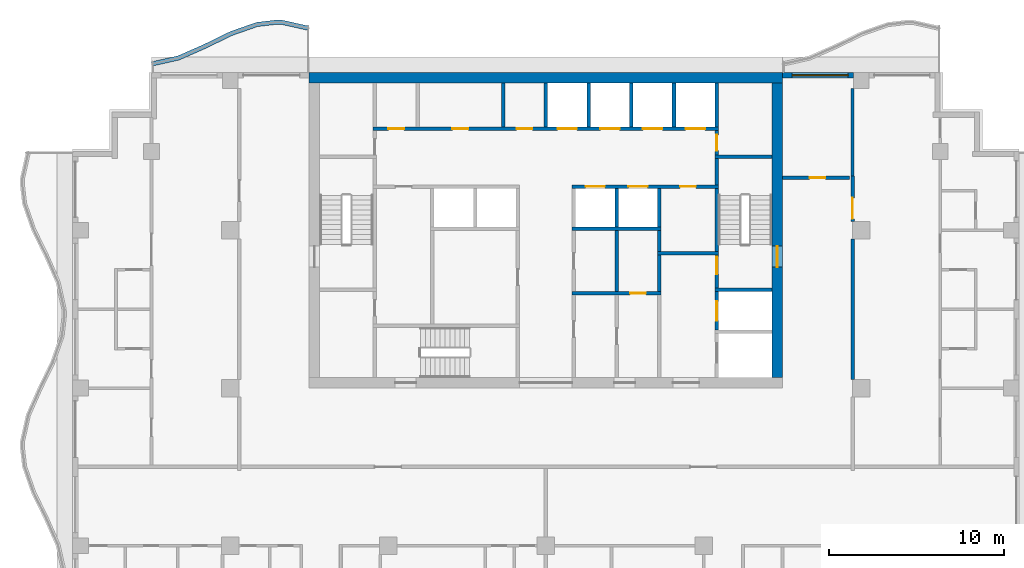
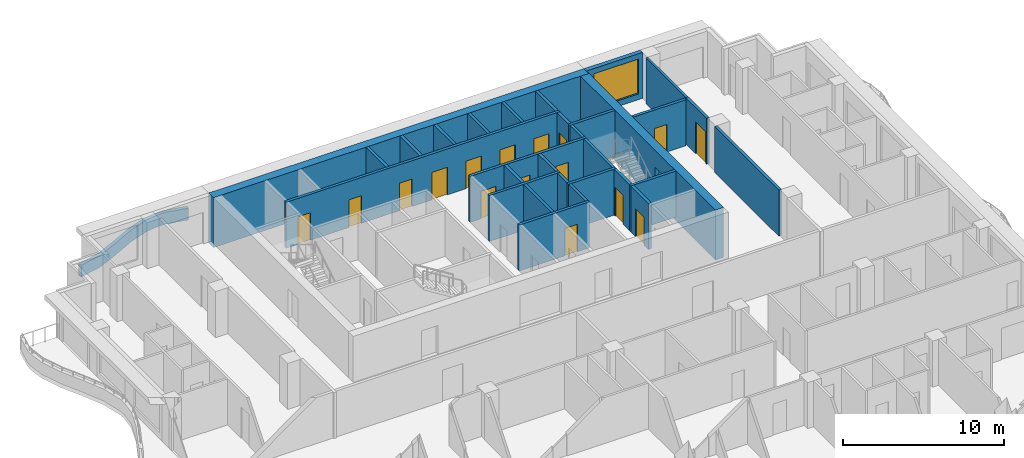
# One storey, part 6 of 11: 31 walls, 17 doors, 1 window, 18 openings.
"""IFC4 building model written with IfcOpenShell, lengths in metres."""

from ifc_helpers import new_model, si_unit, direction, frame, frame_2d, origin, place, context, subcontext, project, spatial, polyline, rectangle, outline, extrude, material, layer, layer_set, type_object, element, fill, save


model = new_model("IFC4")

# Units and contexts
model_context = context("Model", 3, precision=1e-05, world=origin(), true_north=direction((0.0, 1.0)))
body_context = subcontext(model_context, "Body", "Model", "MODEL_VIEW")
ifc_project = project(units=[si_unit("LENGTHUNIT", "METRE"), si_unit("AREAUNIT", "SQUARE_METRE"), si_unit("VOLUMEUNIT", "CUBIC_METRE"), si_unit("PLANEANGLEUNIT", "RADIAN"), si_unit("MASSUNIT", "GRAM", prefix="KILO")], contexts=[model_context])

# Site, building, storey
site_placement = place(None, origin())
site = spatial("IfcSite", under=ifc_project, at=site_placement, CompositionType="ELEMENT")
building_placement = place(site_placement, origin())
building = spatial("IfcBuilding", under=site, at=building_placement, Name="Orbiselva Terraces", CompositionType="ELEMENT")
storey_placement = place(building_placement, frame((0.0, 0.0, 246.4)))
storey = spatial("IfcBuildingStorey", under=building, at=storey_placement, Name="L62", CompositionType="ELEMENT", Elevation=246.4)

# Wall, opening, door
ifc_material_1 = material(Name="Concrete C80/95", Category="concrete")
ifc_layer_1 = layer(ifc_material_1, 0.6)
ifc_layer_set_1 = layer_set([ifc_layer_1], Name="Concrete C80/95")
wall_type_1 = type_object("IfcWallType", Name="CORE WALL 600", PredefinedType="SHEAR", material=ifc_layer_set_1)
wall_1_placement = place(storey_placement, frame((13.2, 5.1, -0.3), z_axis=(0.0, 0.0, 1.0), x_axis=(0.0, 1.0, 0.0)))
wall_1 = element("IfcWall", 1, at=wall_1_placement, inside=storey, type_object=wall_type_1, Name="Core wall L62 east", PredefinedType="SHEAR", context=body_context, shape_type="SweptSolid", body=[
    extrude(rectangle(XDim=16.8, YDim=0.6, at=frame_2d((8.4, 0.0))), origin(), (0.0, 0.0, 1.0), 3.8),
])
opening_1_placement = place(wall_1_placement, frame((6.3, 0.0, 0.3)))
opening_1 = element("IfcOpeningElement", 2, at=opening_1_placement, cuts=wall_1, Name="Opening DS1200", PredefinedType="OPENING", context=body_context, shape_type="SweptSolid", body=[
    extrude(rectangle(XDim=1.2, YDim=2.2, at=frame_2d((0.6, 1.1))), frame((0.0, 0.31, 0.0), z_axis=(0.0, -1.0, 0.0), x_axis=(1.0, 0.0, 0.0)), (0.0, 0.0, 1.0), 0.62),
])
ifc_material_2 = material(Name="Steel fire door", Category="steel")
door_type_1 = type_object("IfcDoorType", Name="STAIR DOOR 1200", OperationType="NOTDEFINED", PredefinedType="DOOR", material=ifc_material_2)
door_1_placement = place(opening_1_placement, frame((1.2, 0.0, 0.0), z_axis=(0.0, 0.0, 1.0), x_axis=(-1.0, 0.0, 0.0)))
door_1 = element("IfcDoor", 3, at=door_1_placement, inside=storey, type_object=door_type_1, Name="L62 EXIT STAIR S2 door", OperationType="SINGLE_SWING_LEFT", OverallHeight=2.2, OverallWidth=1.2, PredefinedType="DOOR", context=body_context, shape_type="SweptSolid", body=[
    extrude(rectangle(XDim=1.2, YDim=2.2, at=frame_2d((0.6, 1.1))), frame((0.0, 0.025, 0.0), z_axis=(0.0, -1.0, 0.0), x_axis=(1.0, 0.0, 0.0)), (0.0, 0.0, 1.0), 0.05),
])
fill(opening_1, door_1)

# Walls
ifc_layer_2 = layer(ifc_material_1, 0.6)
ifc_layer_set_2 = layer_set([ifc_layer_2], Name="Concrete C80/95")
wall_type_2 = type_object("IfcWallType", Name="CORE WALL 600 EXTERNAL", PredefinedType="SHEAR", material=ifc_layer_set_2)
wall_2_placement = place(storey_placement, frame((13.5, 22.2, -0.3), z_axis=(0.0, 0.0, 1.0), x_axis=(-1.0, 0.0, 0.0)))
element("IfcWall", 4, at=wall_2_placement, inside=storey, type_object=wall_type_2, Name="Core wall L62 north", PredefinedType="SHEAR", context=body_context, shape_type="SweptSolid", body=[
    extrude(rectangle(XDim=27.0, YDim=0.6, at=frame_2d((13.5, 0.0))), origin(), (0.0, 0.0, 1.0), 3.8),
])
ifc_material_3 = material(Name="Masonry blockwork", Category="masonry")
ifc_layer_3 = layer(ifc_material_3, 0.2)
ifc_layer_set_3 = layer_set([ifc_layer_3], Name="Masonry blockwork")
wall_type_3 = type_object("IfcWallType", Name="CORE-WALL-PARTITION-200", PredefinedType="PARTITIONING", material=ifc_layer_set_3)
wall_3_placement = place(storey_placement, frame((-2.4375, 19.4, 0.0), z_axis=(0.0, 0.0, 1.0), x_axis=(0.0, 1.0, 0.0)))
element("IfcWall", 5, at=wall_3_placement, inside=storey, type_object=wall_type_3, Name="L62 core wall 17", PredefinedType="PARTITIONING", context=body_context, shape_type="SweptSolid", body=[
    extrude(rectangle(XDim=2.5, YDim=0.2, at=frame_2d((1.25, 0.0))), origin(), (0.0, 0.0, 1.0), 3.5),
])
wall_4_placement = place(storey_placement, frame((4.0375, 10.0, 0.0), z_axis=(0.0, 0.0, 1.0), x_axis=(0.0, 1.0, 0.0)))
element("IfcWall", 6, at=wall_4_placement, inside=storey, type_object=wall_type_3, Name="L62 core wall 30", PredefinedType="PARTITIONING", context=body_context, shape_type="SweptSolid", body=[
    extrude(rectangle(XDim=3.5, YDim=0.2, at=frame_2d((1.75, 0.0))), origin(), (0.0, 0.0, 1.0), 3.5),
])
wall_5_placement = place(storey_placement, frame((6.475, 12.3, 0.0), z_axis=(0.0, 0.0, 1.0), x_axis=(0.0, 1.0, 0.0)))
element("IfcWall", 7, at=wall_5_placement, inside=storey, type_object=wall_type_3, Name="L62 core wall 36", PredefinedType="PARTITIONING", context=body_context, shape_type="SweptSolid", body=[
    extrude(rectangle(XDim=1.2, YDim=0.2, at=frame_2d((0.6, 0.0))), origin(), (0.0, 0.0, 1.0), 3.5),
])

# Wall, opening, door
wall_6_placement = place(storey_placement, frame((9.75, 19.2, 0.0), z_axis=(0.0, 0.0, 1.0), x_axis=(0.0, -1.0, 0.0)))
wall_6 = element("IfcWall", 8, at=wall_6_placement, inside=storey, type_object=wall_type_3, Name="L62 core wall 47", PredefinedType="PARTITIONING", context=body_context, shape_type="SweptSolid", body=[
    extrude(rectangle(XDim=1.4, YDim=0.2, at=frame_2d((0.7, 0.0))), origin(), (0.0, 0.0, 1.0), 3.5),
])
opening_2_placement = place(wall_6_placement, frame((0.25, 0.0, 0.0)))
opening_2 = element("IfcOpeningElement", 9, at=opening_2_placement, cuts=wall_6, Name="Opening DR900", PredefinedType="OPENING", context=body_context, shape_type="SweptSolid", body=[
    extrude(rectangle(XDim=0.9, YDim=2.1, at=frame_2d((0.45, 1.05))), frame((0.0, 0.11, 0.0), z_axis=(0.0, -1.0, 0.0), x_axis=(1.0, 0.0, 0.0)), (0.0, 0.0, 1.0), 0.22),
])
door_type_2 = type_object("IfcDoorType", Name="ROOM DOOR 900", OperationType="NOTDEFINED", PredefinedType="DOOR", material=ifc_material_2)
door_2_placement = place(opening_2_placement, origin())
door_2 = element("IfcDoor", 10, at=door_2_placement, inside=storey, type_object=door_type_2, Name="L62 ELECTRICAL RISER ROOM door", OperationType="SINGLE_SWING_RIGHT", OverallHeight=2.1, OverallWidth=0.9, PredefinedType="DOOR", context=body_context, shape_type="SweptSolid", body=[
    extrude(rectangle(XDim=0.9, YDim=2.1, at=frame_2d((0.45, 1.05))), frame((0.0, 0.025, 0.0), z_axis=(0.0, -1.0, 0.0), x_axis=(1.0, 0.0, 0.0)), (0.0, 0.0, 1.0), 0.05),
])
fill(opening_2, door_2)

# Walls
ifc_material_4 = material(Name="Concrete C40/50", Category="concrete")
ifc_layer_4 = layer(ifc_material_4, 0.2)
ifc_layer_set_4 = layer_set([ifc_layer_4], Name="Concrete C40/50")
wall_type_4 = type_object("IfcWallType", Name="CORE-WALL-SHAFT-200", PredefinedType="PARTITIONING", material=ifc_layer_set_4)
for number, where, z_axis, x_axis, name in (
    (11, (0.0, 19.4, 0.0), (0.0, 0.0, 1.0), (0.0, 1.0, 0.0), "L62 core wall 21"),
    (12, (2.4375, 19.4, 0.0), (0.0, 0.0, 1.0), (0.0, 1.0, 0.0), "L62 core wall 28"),
):
    element("IfcWall", number, at=place(storey_placement, frame(where, z_axis=z_axis, x_axis=x_axis)), inside=storey, type_object=wall_type_4, Name=name, PredefinedType="PARTITIONING", context=body_context, shape_type="SweptSolid", body=[
        extrude(rectangle(XDim=2.5, YDim=0.2, at=frame_2d((1.25, 0.0))), origin(), (0.0, 0.0, 1.0), 3.5),
    ])
wall_7_placement = place(storey_placement, frame((4.0375, 13.7, 0.0), z_axis=(0.0, 0.0, 1.0), x_axis=(0.0, 1.0, 0.0)))
element("IfcWall", 13, at=wall_7_placement, inside=storey, type_object=wall_type_4, Name="L62 core wall 31", PredefinedType="PARTITIONING", context=body_context, shape_type="SweptSolid", body=[
    extrude(rectangle(XDim=2.2, YDim=0.2, at=frame_2d((1.1, 0.0))), origin(), (0.0, 0.0, 1.0), 3.5),
])
wall_8_placement = place(storey_placement, frame((4.875, 19.4, 0.0), z_axis=(0.0, 0.0, 1.0), x_axis=(0.0, 1.0, 0.0)))
element("IfcWall", 14, at=wall_8_placement, inside=storey, type_object=wall_type_4, Name="L62 core wall 32", PredefinedType="PARTITIONING", context=body_context, shape_type="SweptSolid", body=[
    extrude(rectangle(XDim=2.5, YDim=0.2, at=frame_2d((1.25, 0.0))), origin(), (0.0, 0.0, 1.0), 3.5),
])
wall_9_placement = place(storey_placement, frame((6.475, 13.7, 0.0), z_axis=(0.0, 0.0, 1.0), x_axis=(0.0, 1.0, 0.0)))
element("IfcWall", 15, at=wall_9_placement, inside=storey, type_object=wall_type_4, Name="L62 core wall 37", PredefinedType="PARTITIONING", context=body_context, shape_type="SweptSolid", body=[
    extrude(rectangle(XDim=2.2, YDim=0.2, at=frame_2d((1.1, 0.0))), origin(), (0.0, 0.0, 1.0), 3.5),
])
for number, where, z_axis, x_axis, name in (
    (16, (7.3125, 19.4, 0.0), (0.0, 0.0, 1.0), (0.0, 1.0, 0.0), "L62 core wall 38"),
    (17, (9.75, 19.4, 0.0), (0.0, 0.0, 1.0), (0.0, 1.0, 0.0), "L62 core wall 48"),
):
    element("IfcWall", number, at=place(storey_placement, frame(where, z_axis=z_axis, x_axis=x_axis)), inside=storey, type_object=wall_type_4, Name=name, PredefinedType="PARTITIONING", context=body_context, shape_type="SweptSolid", body=[
        extrude(rectangle(XDim=2.5, YDim=0.2, at=frame_2d((1.25, 0.0))), origin(), (0.0, 0.0, 1.0), 3.5),
    ])

# Wall, openings, doors
ifc_material_5 = material(Name="Concrete C60/75", Category="concrete")
ifc_layer_5 = layer(ifc_material_5, 0.2)
ifc_layer_set_5 = layer_set([ifc_layer_5], Name="Concrete C60/75")
wall_type_5 = type_object("IfcWallType", Name="CORE-WALL-SHEAR-200", PredefinedType="SHEAR", material=ifc_layer_set_5)
wall_10_placement = place(storey_placement, frame((-9.85, 19.3, 0.0), z_axis=(0.0, 0.0, 1.0), x_axis=(1.0, 0.0, 0.0)))
wall_10 = element("IfcWall", 18, at=wall_10_placement, inside=storey, type_object=wall_type_5, Name="L62 core wall 10", PredefinedType="SHEAR", context=body_context, shape_type="SweptSolid", body=[
    extrude(rectangle(XDim=19.7, YDim=0.2, at=frame_2d((9.85, 0.0))), origin(), (0.0, 0.0, 1.0), 3.5),
])
opening_3_placement = place(wall_10_placement, frame((10.51875, 0.0, 0.0)))
opening_3 = element("IfcOpeningElement", 19, at=opening_3_placement, cuts=wall_10, Name="Opening LD-HR1", PredefinedType="OPENING", context=body_context, shape_type="SweptSolid", body=[
    extrude(rectangle(XDim=1.1, YDim=2.1, at=frame_2d((0.55, 1.05))), frame((0.0, 0.11, 0.0), z_axis=(0.0, -1.0, 0.0), x_axis=(1.0, 0.0, 0.0)), (0.0, 0.0, 1.0), 0.22),
])
opening_4_placement = place(wall_10_placement, frame((12.95625, 0.0, 0.0)))
opening_4 = element("IfcOpeningElement", 20, at=opening_4_placement, cuts=wall_10, Name="Opening LD-HR2", PredefinedType="OPENING", context=body_context, shape_type="SweptSolid", body=[
    extrude(rectangle(XDim=1.1, YDim=2.1, at=frame_2d((0.55, 1.05))), frame((0.0, 0.11, 0.0), z_axis=(0.0, -1.0, 0.0), x_axis=(1.0, 0.0, 0.0)), (0.0, 0.0, 1.0), 0.22),
])
opening_5_placement = place(wall_10_placement, frame((15.39375, 0.0, 0.0)))
opening_5 = element("IfcOpeningElement", 21, at=opening_5_placement, cuts=wall_10, Name="Opening LD-HR3", PredefinedType="OPENING", context=body_context, shape_type="SweptSolid", body=[
    extrude(rectangle(XDim=1.1, YDim=2.1, at=frame_2d((0.55, 1.05))), frame((0.0, 0.11, 0.0), z_axis=(0.0, -1.0, 0.0), x_axis=(1.0, 0.0, 0.0)), (0.0, 0.0, 1.0), 0.22),
])
opening_6_placement = place(wall_10_placement, frame((17.83125, 0.0, 0.0)))
opening_6 = element("IfcOpeningElement", 22, at=opening_6_placement, cuts=wall_10, Name="Opening LD-HR4", PredefinedType="OPENING", context=body_context, shape_type="SweptSolid", body=[
    extrude(rectangle(XDim=1.1, YDim=2.1, at=frame_2d((0.55, 1.05))), frame((0.0, 0.11, 0.0), z_axis=(0.0, -1.0, 0.0), x_axis=(1.0, 0.0, 0.0)), (0.0, 0.0, 1.0), 0.22),
])
opening_7_placement = place(wall_10_placement, frame((0.8688, 0.0, 0.0)))
opening_7 = element("IfcOpeningElement", 23, at=opening_7_placement, cuts=wall_10, Name="Opening DR900", PredefinedType="OPENING", context=body_context, shape_type="SweptSolid", body=[
    extrude(rectangle(XDim=0.9, YDim=2.1, at=frame_2d((0.45, 1.05))), frame((0.0, 0.11, 0.0), z_axis=(0.0, -1.0, 0.0), x_axis=(1.0, 0.0, 0.0)), (0.0, 0.0, 1.0), 0.22),
])
opening_8_placement = place(wall_10_placement, frame((4.525, 0.0, 0.0)))
opening_8 = element("IfcOpeningElement", 24, at=opening_8_placement, cuts=wall_10, Name="Opening DR900", PredefinedType="OPENING", context=body_context, shape_type="SweptSolid", body=[
    extrude(rectangle(XDim=0.9, YDim=2.1, at=frame_2d((0.45, 1.05))), frame((0.0, 0.11, 0.0), z_axis=(0.0, -1.0, 0.0), x_axis=(1.0, 0.0, 0.0)), (0.0, 0.0, 1.0), 0.22),
])
opening_9_placement = place(wall_10_placement, frame((8.1812, 0.0, 0.0)))
opening_9 = element("IfcOpeningElement", 25, at=opening_9_placement, cuts=wall_10, Name="Opening DR900", PredefinedType="OPENING", context=body_context, shape_type="SweptSolid", body=[
    extrude(rectangle(XDim=0.9, YDim=2.1, at=frame_2d((0.45, 1.05))), frame((0.0, 0.11, 0.0), z_axis=(0.0, -1.0, 0.0), x_axis=(1.0, 0.0, 0.0)), (0.0, 0.0, 1.0), 0.22),
])
ifc_material_6 = material(Name="Stainless steel landing door", Category="steel")
door_type_3 = type_object("IfcDoorType", Name="LANDING DOOR 1100", OperationType="SLIDING_TO_LEFT", PredefinedType="DOOR", material=ifc_material_6)
door_3_placement = place(opening_3_placement, origin())
door_3 = element("IfcDoor", 26, at=door_3_placement, inside=storey, type_object=door_type_3, Name="L62 landing door HR1", OperationType="SLIDING_TO_RIGHT", OverallHeight=2.1, OverallWidth=1.1, PredefinedType="DOOR", context=body_context, shape_type="SweptSolid", body=[
    extrude(rectangle(XDim=1.1, YDim=2.1, at=frame_2d((0.55, 1.05))), frame((0.0, 0.025, 0.0), z_axis=(0.0, -1.0, 0.0), x_axis=(1.0, 0.0, 0.0)), (0.0, 0.0, 1.0), 0.05),
])
fill(opening_3, door_3)
door_4_placement = place(opening_4_placement, origin())
door_4 = element("IfcDoor", 27, at=door_4_placement, inside=storey, type_object=door_type_3, Name="L62 landing door HR2", OperationType="SLIDING_TO_RIGHT", OverallHeight=2.1, OverallWidth=1.1, PredefinedType="DOOR", context=body_context, shape_type="SweptSolid", body=[
    extrude(rectangle(XDim=1.1, YDim=2.1, at=frame_2d((0.55, 1.05))), frame((0.0, 0.025, 0.0), z_axis=(0.0, -1.0, 0.0), x_axis=(1.0, 0.0, 0.0)), (0.0, 0.0, 1.0), 0.05),
])
fill(opening_4, door_4)
door_5_placement = place(opening_5_placement, origin())
door_5 = element("IfcDoor", 28, at=door_5_placement, inside=storey, type_object=door_type_3, Name="L62 landing door HR3", OperationType="SLIDING_TO_RIGHT", OverallHeight=2.1, OverallWidth=1.1, PredefinedType="DOOR", context=body_context, shape_type="SweptSolid", body=[
    extrude(rectangle(XDim=1.1, YDim=2.1, at=frame_2d((0.55, 1.05))), frame((0.0, 0.025, 0.0), z_axis=(0.0, -1.0, 0.0), x_axis=(1.0, 0.0, 0.0)), (0.0, 0.0, 1.0), 0.05),
])
fill(opening_5, door_5)
door_6_placement = place(opening_6_placement, origin())
door_6 = element("IfcDoor", 29, at=door_6_placement, inside=storey, type_object=door_type_3, Name="L62 landing door HR4", OperationType="SLIDING_TO_RIGHT", OverallHeight=2.1, OverallWidth=1.1, PredefinedType="DOOR", context=body_context, shape_type="SweptSolid", body=[
    extrude(rectangle(XDim=1.1, YDim=2.1, at=frame_2d((0.55, 1.05))), frame((0.0, 0.025, 0.0), z_axis=(0.0, -1.0, 0.0), x_axis=(1.0, 0.0, 0.0)), (0.0, 0.0, 1.0), 0.05),
])
fill(opening_6, door_6)
door_7_placement = place(opening_7_placement, origin())
door_7 = element("IfcDoor", 30, at=door_7_placement, inside=storey, type_object=door_type_2, Name="L62 STORE door", OperationType="SINGLE_SWING_LEFT", OverallHeight=2.1, OverallWidth=0.9, PredefinedType="DOOR", context=body_context, shape_type="SweptSolid", body=[
    extrude(rectangle(XDim=0.9, YDim=2.1, at=frame_2d((0.45, 1.05))), frame((0.0, 0.025, 0.0), z_axis=(0.0, -1.0, 0.0), x_axis=(1.0, 0.0, 0.0)), (0.0, 0.0, 1.0), 0.05),
])
fill(opening_7, door_7)
door_8_placement = place(opening_8_placement, origin())
door_8 = element("IfcDoor", 31, at=door_8_placement, inside=storey, type_object=door_type_2, Name="L62 IT ROOM door", OperationType="SINGLE_SWING_LEFT", OverallHeight=2.1, OverallWidth=0.9, PredefinedType="DOOR", context=body_context, shape_type="SweptSolid", body=[
    extrude(rectangle(XDim=0.9, YDim=2.1, at=frame_2d((0.45, 1.05))), frame((0.0, 0.025, 0.0), z_axis=(0.0, -1.0, 0.0), x_axis=(1.0, 0.0, 0.0)), (0.0, 0.0, 1.0), 0.05),
])
fill(opening_8, door_8)
door_9_placement = place(opening_9_placement, origin())
door_9 = element("IfcDoor", 32, at=door_9_placement, inside=storey, type_object=door_type_2, Name="L62 CLEANERS STORE door", OperationType="SINGLE_SWING_LEFT", OverallHeight=2.1, OverallWidth=0.9, PredefinedType="DOOR", context=body_context, shape_type="SweptSolid", body=[
    extrude(rectangle(XDim=0.9, YDim=2.1, at=frame_2d((0.45, 1.05))), frame((0.0, 0.025, 0.0), z_axis=(0.0, -1.0, 0.0), x_axis=(1.0, 0.0, 0.0)), (0.0, 0.0, 1.0), 0.05),
])
fill(opening_9, door_9)

# Wall, opening, door
wall_11_placement = place(storey_placement, frame((1.5, 9.9, 0.0), z_axis=(0.0, 0.0, 1.0), x_axis=(1.0, 0.0, 0.0)))
wall_11 = element("IfcWall", 33, at=wall_11_placement, inside=storey, type_object=wall_type_5, Name="L62 core wall 23", PredefinedType="SHEAR", context=body_context, shape_type="SweptSolid", body=[
    extrude(rectangle(XDim=5.075, YDim=0.2, at=frame_2d((2.5375, 0.0))), origin(), (0.0, 0.0, 1.0), 3.5),
])
opening_10_placement = place(wall_11_placement, frame((3.3062, 0.0, 0.0)))
opening_10 = element("IfcOpeningElement", 34, at=opening_10_placement, cuts=wall_11, Name="Opening DR900", PredefinedType="OPENING", context=body_context, shape_type="SweptSolid", body=[
    extrude(rectangle(XDim=0.9, YDim=2.1, at=frame_2d((0.45, 1.05))), frame((0.0, 0.11, 0.0), z_axis=(0.0, -1.0, 0.0), x_axis=(1.0, 0.0, 0.0)), (0.0, 0.0, 1.0), 0.22),
])
door_10_placement = place(opening_10_placement, origin())
door_10 = element("IfcDoor", 35, at=door_10_placement, inside=storey, type_object=door_type_2, Name="L62 LINEN STORE door", OperationType="SINGLE_SWING_RIGHT", OverallHeight=2.1, OverallWidth=0.9, PredefinedType="DOOR", context=body_context, shape_type="SweptSolid", body=[
    extrude(rectangle(XDim=0.9, YDim=2.1, at=frame_2d((0.45, 1.05))), frame((0.0, 0.025, 0.0), z_axis=(0.0, -1.0, 0.0), x_axis=(1.0, 0.0, 0.0)), (0.0, 0.0, 1.0), 0.05),
])
fill(opening_10, door_10)

# Wall
wall_12_placement = place(storey_placement, frame((1.5, 13.6, 0.0), z_axis=(0.0, 0.0, 1.0), x_axis=(1.0, 0.0, 0.0)))
element("IfcWall", 36, at=wall_12_placement, inside=storey, type_object=wall_type_5, Name="L62 core wall 25", PredefinedType="SHEAR", context=body_context, shape_type="SweptSolid", body=[
    extrude(rectangle(XDim=5.075, YDim=0.2, at=frame_2d((2.5375, 0.0))), origin(), (0.0, 0.0, 1.0), 3.5),
])

# Wall, openings, doors
wall_13_placement = place(storey_placement, frame((9.85, 16.0, 0.0), z_axis=(0.0, 0.0, 1.0), x_axis=(-1.0, 0.0, 0.0)))
wall_13 = element("IfcWall", 37, at=wall_13_placement, inside=storey, type_object=wall_type_5, Name="L62 core wall 27", PredefinedType="SHEAR", context=body_context, shape_type="SweptSolid", body=[
    extrude(rectangle(XDim=8.35, YDim=0.2, at=frame_2d((4.175, 0.0))), origin(), (0.0, 0.0, 1.0), 3.5),
])
opening_11_placement = place(wall_13_placement, frame((6.48125, 0.0, 0.0)))
opening_11 = element("IfcOpeningElement", 38, at=opening_11_placement, cuts=wall_13, Name="Opening LD-HR5", PredefinedType="OPENING", context=body_context, shape_type="SweptSolid", body=[
    extrude(rectangle(XDim=1.1, YDim=2.1, at=frame_2d((0.55, 1.05))), frame((0.0, 0.11, 0.0), z_axis=(0.0, -1.0, 0.0), x_axis=(1.0, 0.0, 0.0)), (0.0, 0.0, 1.0), 0.22),
])
opening_12_placement = place(wall_13_placement, frame((4.04375, 0.0, 0.0)))
opening_12 = element("IfcOpeningElement", 39, at=opening_12_placement, cuts=wall_13, Name="Opening LD-HR6", PredefinedType="OPENING", context=body_context, shape_type="SweptSolid", body=[
    extrude(rectangle(XDim=1.1, YDim=2.1, at=frame_2d((0.55, 1.05))), frame((0.0, 0.11, 0.0), z_axis=(0.0, -1.0, 0.0), x_axis=(1.0, 0.0, 0.0)), (0.0, 0.0, 1.0), 0.22),
])
opening_13_placement = place(wall_13_placement, frame((1.2875, 0.0, 0.0)))
opening_13 = element("IfcOpeningElement", 40, at=opening_13_placement, cuts=wall_13, Name="Opening DR900", PredefinedType="OPENING", context=body_context, shape_type="SweptSolid", body=[
    extrude(rectangle(XDim=0.9, YDim=2.1, at=frame_2d((0.45, 1.05))), frame((0.0, 0.11, 0.0), z_axis=(0.0, -1.0, 0.0), x_axis=(1.0, 0.0, 0.0)), (0.0, 0.0, 1.0), 0.22),
])
door_11_placement = place(opening_11_placement, origin())
door_11 = element("IfcDoor", 41, at=door_11_placement, inside=storey, type_object=door_type_3, Name="L62 landing door HR5", OperationType="SLIDING_TO_RIGHT", OverallHeight=2.1, OverallWidth=1.1, PredefinedType="DOOR", context=body_context, shape_type="SweptSolid", body=[
    extrude(rectangle(XDim=1.1, YDim=2.1, at=frame_2d((0.55, 1.05))), frame((0.0, 0.025, 0.0), z_axis=(0.0, -1.0, 0.0), x_axis=(1.0, 0.0, 0.0)), (0.0, 0.0, 1.0), 0.05),
])
fill(opening_11, door_11)
door_12_placement = place(opening_12_placement, origin())
door_12 = element("IfcDoor", 42, at=door_12_placement, inside=storey, type_object=door_type_3, Name="L62 landing door HR6", OperationType="SLIDING_TO_RIGHT", OverallHeight=2.1, OverallWidth=1.1, PredefinedType="DOOR", context=body_context, shape_type="SweptSolid", body=[
    extrude(rectangle(XDim=1.1, YDim=2.1, at=frame_2d((0.55, 1.05))), frame((0.0, 0.025, 0.0), z_axis=(0.0, -1.0, 0.0), x_axis=(1.0, 0.0, 0.0)), (0.0, 0.0, 1.0), 0.05),
])
fill(opening_12, door_12)
door_13_placement = place(opening_13_placement, origin())
door_13 = element("IfcDoor", 43, at=door_13_placement, inside=storey, type_object=door_type_2, Name="L62 PIPE RISER ROOM door", OperationType="SINGLE_SWING_LEFT", OverallHeight=2.1, OverallWidth=0.9, PredefinedType="DOOR", context=body_context, shape_type="SweptSolid", body=[
    extrude(rectangle(XDim=0.9, YDim=2.1, at=frame_2d((0.45, 1.05))), frame((0.0, 0.025, 0.0), z_axis=(0.0, -1.0, 0.0), x_axis=(1.0, 0.0, 0.0)), (0.0, 0.0, 1.0), 0.05),
])
fill(opening_13, door_13)

# Walls
wall_14_placement = place(storey_placement, frame((6.475, 10.0, 0.0), z_axis=(0.0, 0.0, 1.0), x_axis=(0.0, 1.0, 0.0)))
element("IfcWall", 44, at=wall_14_placement, inside=storey, type_object=wall_type_5, Name="L62 core wall 34", PredefinedType="SHEAR", context=body_context, shape_type="SweptSolid", body=[
    extrude(rectangle(XDim=2.1, YDim=0.2, at=frame_2d((1.05, 0.0))), origin(), (0.0, 0.0, 1.0), 3.5),
])
wall_15_placement = place(storey_placement, frame((6.375, 12.2, 0.0), z_axis=(0.0, 0.0, 1.0), x_axis=(1.0, 0.0, 0.0)))
element("IfcWall", 45, at=wall_15_placement, inside=storey, type_object=wall_type_5, Name="L62 core wall 35", PredefinedType="SHEAR", context=body_context, shape_type="SweptSolid", body=[
    extrude(rectangle(XDim=3.475, YDim=0.2, at=frame_2d((1.7375, 0.0))), origin(), (0.0, 0.0, 1.0), 3.5),
])

# Wall, opening, door
wall_16_placement = place(storey_placement, frame((9.75, 7.8, 0.0), z_axis=(0.0, 0.0, 1.0), x_axis=(0.0, 1.0, 0.0)))
wall_16 = element("IfcWall", 46, at=wall_16_placement, inside=storey, type_object=wall_type_5, Name="L62 core wall 41", PredefinedType="SHEAR", context=body_context, shape_type="SweptSolid", body=[
    extrude(rectangle(XDim=2.2, YDim=0.2, at=frame_2d((1.1, 0.0))), origin(), (0.0, 0.0, 1.0), 3.5),
])
opening_14_placement = place(wall_16_placement, frame((0.55, 0.0, 0.0)))
opening_14 = element("IfcOpeningElement", 47, at=opening_14_placement, cuts=wall_16, Name="Opening LD-FF2", PredefinedType="OPENING", context=body_context, shape_type="SweptSolid", body=[
    extrude(rectangle(XDim=1.1, YDim=2.1, at=frame_2d((0.55, 1.05))), frame((0.0, 0.11, 0.0), z_axis=(0.0, -1.0, 0.0), x_axis=(1.0, 0.0, 0.0)), (0.0, 0.0, 1.0), 0.22),
])
door_14_placement = place(opening_14_placement, origin())
door_14 = element("IfcDoor", 48, at=door_14_placement, inside=storey, type_object=door_type_3, Name="L62 landing door FF2", OperationType="SLIDING_TO_RIGHT", OverallHeight=2.1, OverallWidth=1.1, PredefinedType="DOOR", context=body_context, shape_type="SweptSolid", body=[
    extrude(rectangle(XDim=1.1, YDim=2.1, at=frame_2d((0.55, 1.05))), frame((0.0, 0.025, 0.0), z_axis=(0.0, -1.0, 0.0), x_axis=(1.0, 0.0, 0.0)), (0.0, 0.0, 1.0), 0.05),
])
fill(opening_14, door_14)

# Wall
wall_17_placement = place(storey_placement, frame((9.65, 10.1, 0.0), z_axis=(0.0, 0.0, 1.0), x_axis=(1.0, 0.0, 0.0)))
element("IfcWall", 49, at=wall_17_placement, inside=storey, type_object=wall_type_5, Name="L62 core wall 42", PredefinedType="SHEAR", context=body_context, shape_type="SweptSolid", body=[
    extrude(rectangle(XDim=3.25, YDim=0.2, at=frame_2d((1.625, 0.0))), origin(), (0.0, 0.0, 1.0), 3.5),
])

# Wall, opening, door
wall_18_placement = place(storey_placement, frame((9.75, 12.1, 0.0), z_axis=(0.0, 0.0, 1.0), x_axis=(0.0, -1.0, 0.0)))
wall_18 = element("IfcWall", 50, at=wall_18_placement, inside=storey, type_object=wall_type_5, Name="L62 core wall 43", PredefinedType="SHEAR", context=body_context, shape_type="SweptSolid", body=[
    extrude(rectangle(XDim=1.9, YDim=0.2, at=frame_2d((0.95, 0.0))), origin(), (0.0, 0.0, 1.0), 3.5),
])
opening_15_placement = place(wall_18_placement, frame((0.1, 0.0, 0.0)))
opening_15 = element("IfcOpeningElement", 51, at=opening_15_placement, cuts=wall_18, Name="Opening DS1000", PredefinedType="OPENING", context=body_context, shape_type="SweptSolid", body=[
    extrude(rectangle(XDim=1.0, YDim=2.2, at=frame_2d((0.5, 1.1))), frame((0.0, 0.11, 0.0), z_axis=(0.0, -1.0, 0.0), x_axis=(1.0, 0.0, 0.0)), (0.0, 0.0, 1.0), 0.22),
])
door_type_4 = type_object("IfcDoorType", Name="STAIR DOOR 1000", OperationType="NOTDEFINED", PredefinedType="DOOR", material=ifc_material_2)
door_15_placement = place(opening_15_placement, origin())
door_15 = element("IfcDoor", 52, at=door_15_placement, inside=storey, type_object=door_type_4, Name="L62 FIRE-FIGHTING LOBBY TO EXIT STAIR S2 door", OperationType="SINGLE_SWING_LEFT", OverallHeight=2.2, OverallWidth=1.0, PredefinedType="DOOR", context=body_context, shape_type="SweptSolid", body=[
    extrude(rectangle(XDim=1.0, YDim=2.2, at=frame_2d((0.5, 1.1))), frame((0.0, 0.025, 0.0), z_axis=(0.0, -1.0, 0.0), x_axis=(1.0, 0.0, 0.0)), (0.0, 0.0, 1.0), 0.05),
])
fill(opening_15, door_15)

# Walls
wall_19_placement = place(storey_placement, frame((9.75, 12.3, 0.0), z_axis=(0.0, 0.0, 1.0), x_axis=(0.0, 1.0, 0.0)))
element("IfcWall", 53, at=wall_19_placement, inside=storey, type_object=wall_type_5, Name="L62 core wall 44", PredefinedType="SHEAR", context=body_context, shape_type="SweptSolid", body=[
    extrude(rectangle(XDim=3.6, YDim=0.2, at=frame_2d((1.8, 0.0))), origin(), (0.0, 0.0, 1.0), 3.5),
])
wall_20_placement = place(storey_placement, frame((9.75, 16.1, 0.0), z_axis=(0.0, 0.0, 1.0), x_axis=(0.0, 1.0, 0.0)))
element("IfcWall", 54, at=wall_20_placement, inside=storey, type_object=wall_type_5, Name="L62 core wall 45", PredefinedType="SHEAR", context=body_context, shape_type="SweptSolid", body=[
    extrude(rectangle(XDim=1.5, YDim=0.2, at=frame_2d((0.75, 0.0))), origin(), (0.0, 0.0, 1.0), 3.5),
])
wall_21_placement = place(storey_placement, frame((9.65, 17.7, 0.0), z_axis=(0.0, 0.0, 1.0), x_axis=(1.0, 0.0, 0.0)))
element("IfcWall", 55, at=wall_21_placement, inside=storey, type_object=wall_type_5, Name="L62 core wall 46", PredefinedType="SHEAR", context=body_context, shape_type="SweptSolid", body=[
    extrude(rectangle(XDim=3.25, YDim=0.2, at=frame_2d((1.625, 0.0))), origin(), (0.0, 0.0, 1.0), 3.5),
])
ifc_layer_6 = layer(ifc_material_4, 0.25)
ifc_layer_set_6 = layer_set([ifc_layer_6], Name="Concrete C40/50")
wall_type_6 = type_object("IfcWallType", Name="ENV-PLANTER-250x900", PredefinedType="USERDEFINED", material=ifc_layer_set_6)
wall_22_placement = place(storey_placement, origin())
element("IfcWall", 56, at=wall_22_placement, inside=storey, type_object=wall_type_6, Name="Balcony planter L62 NW", ObjectType="PLANTER", PredefinedType="USERDEFINED", context=body_context, shape_type="SweptSolid", body=[
    extrude(outline(polyline([(-13.5, 25.148528), (-15.0, 25.485226), (-15.375, 25.5), (-16.5, 25.369208), (-18.0, 24.844789), (-19.5, 24.112279), (-21.0, 23.451472), (-22.5, 23.114774), (-22.445246, 22.870844), (-20.921492, 23.212874), (-19.394714, 23.885477), (-17.90356, 24.613667), (-16.443629, 25.124078), (-15.365428, 25.249429), (-15.032565, 25.236315), (-13.554754, 24.904598), (-13.5, 25.148528)])), origin(), (0.0, 0.0, 1.0), 0.9),
])

# Wall, opening, window
ifc_material_7 = material(Name="Terracotta cladding on masonry backing", Category="masonry")
ifc_layer_7 = layer(ifc_material_7, 0.3)
ifc_layer_set_7 = layer_set([ifc_layer_7], Name="Terracotta cladding on masonry backing")
wall_type_7 = type_object("IfcWallType", Name="ENV-WALL-TERRACOTTA-300", PredefinedType="SOLIDWALL", material=ifc_layer_set_7)
wall_23_placement = place(storey_placement, frame((13.5, 22.35, 0.0), z_axis=(0.0, 0.0, 1.0), x_axis=(1.0, 0.0, 0.0)))
wall_23 = element("IfcWall", 57, at=wall_23_placement, inside=storey, type_object=wall_type_7, Name="Facade wall L62 NE", PredefinedType="SOLIDWALL", context=body_context, shape_type="SweptSolid", body=[
    extrude(rectangle(XDim=4.05, YDim=0.3, at=frame_2d((2.025, 0.0))), origin(), (0.0, 0.0, 1.0), 3.5),
])
opening_16_placement = place(wall_23_placement, frame((0.55, 0.0, 0.45)))
opening_16 = element("IfcOpeningElement", 58, at=opening_16_placement, cuts=wall_23, Name="Opening WN17", PredefinedType="OPENING", context=body_context, shape_type="SweptSolid", body=[
    extrude(rectangle(XDim=3.2, YDim=2.65, at=frame_2d((1.6, 1.325))), frame((0.0, 0.16, 0.0), z_axis=(0.0, -1.0, 0.0), x_axis=(1.0, 0.0, 0.0)), (0.0, 0.0, 1.0), 0.32),
])
ifc_material_8 = material(Name="Clear low-e glazing in aluminium frame", Category="aluminium")
window_type = type_object("IfcWindowType", Name="WINDOW 3200 X 2650 S450", PartitioningType="TRIPLE_PANEL_VERTICAL", PredefinedType="WINDOW", material=ifc_material_8)
window_placement = place(opening_16_placement, origin())
window = element("IfcWindow", 59, at=window_placement, inside=storey, type_object=window_type, Name="Window L62 NE", OverallHeight=2.65, OverallWidth=3.2, PartitioningType="SINGLE_PANEL", PredefinedType="WINDOW", context=body_context, shape_type="SweptSolid", body=[
    extrude(rectangle(XDim=3.2, YDim=2.65, at=frame_2d((1.6, 1.325))), frame((0.0, 0.03, 0.0), z_axis=(0.0, -1.0, 0.0), x_axis=(1.0, 0.0, 0.0)), (0.0, 0.0, 1.0), 0.06),
])
fill(opening_16, window)

# Wall, opening, door
ifc_material_9 = material(Name="Plasterboard on steel stud partition", Category="steel")
ifc_layer_8 = layer(ifc_material_9, 0.2)
ifc_layer_set_8 = layer_set([ifc_layer_8], Name="Plasterboard on steel stud partition")
wall_type_8 = type_object("IfcWallType", Name="UNIT-ENTRANCE-WALL-200", PredefinedType="PARTITIONING", material=ifc_layer_set_8)
wall_24_placement = place(storey_placement, frame((13.5, 16.5, 0.0), z_axis=(0.0, 0.0, 1.0), x_axis=(1.0, 0.0, 0.0)))
wall_24 = element("IfcWall", 60, at=wall_24_placement, inside=storey, type_object=wall_type_8, Name="PARTITION L62-041", PredefinedType="PARTITIONING", context=body_context, shape_type="SweptSolid", body=[
    extrude(rectangle(XDim=3.825, YDim=0.2, at=frame_2d((1.9125, 0.0))), origin(), (0.0, 0.0, 1.0), 3.5),
])
opening_17_placement = place(wall_24_placement, frame((1.55, 0.0, 0.0)))
opening_17 = element("IfcOpeningElement", 61, at=opening_17_placement, cuts=wall_24, Name="Opening Z5-A-01", PredefinedType="OPENING", context=body_context, shape_type="SweptSolid", body=[
    extrude(rectangle(XDim=0.9, YDim=2.1, at=frame_2d((0.45, 1.05))), frame((0.0, 0.11, 0.0), z_axis=(0.0, -1.0, 0.0), x_axis=(1.0, 0.0, 0.0)), (0.0, 0.0, 1.0), 0.22),
])
ifc_material_10 = material(Name="Painted timber door leaf", Category="wood")
door_type_5 = type_object("IfcDoorType", Name="SERVICE DOOR 900", OperationType="NOTDEFINED", PredefinedType="DOOR", material=ifc_material_10)
door_16_placement = place(opening_17_placement, origin())
door_16 = element("IfcDoor", 62, at=door_16_placement, inside=storey, type_object=door_type_5, Name="Z5-A-01", OperationType="SINGLE_SWING_RIGHT", OverallHeight=2.1, OverallWidth=0.9, PredefinedType="DOOR", context=body_context, shape_type="SweptSolid", body=[
    extrude(rectangle(XDim=0.9, YDim=2.1, at=frame_2d((0.45, 1.05))), frame((0.0, 0.025, 0.0), z_axis=(0.0, -1.0, 0.0), x_axis=(1.0, 0.0, 0.0)), (0.0, 0.0, 1.0), 0.05),
])
fill(opening_17, door_16)

# Wall
wall_25_placement = place(storey_placement, frame((17.5, 5.0, 0.0), z_axis=(0.0, 0.0, 1.0), x_axis=(0.0, 1.0, 0.0)))
element("IfcWall", 63, at=wall_25_placement, inside=storey, type_object=wall_type_8, Name="PARTITION L62-079", PredefinedType="PARTITIONING", context=body_context, shape_type="SweptSolid", body=[
    extrude(rectangle(XDim=8.0, YDim=0.2, at=frame_2d((4.0, 0.0))), origin(), (0.0, 0.0, 1.0), 3.5),
])

# Wall, opening, door
wall_26_placement = place(storey_placement, frame((17.5, 16.6, 0.0), z_axis=(0.0, 0.0, 1.0), x_axis=(0.0, -1.0, 0.0)))
wall_26 = element("IfcWall", 64, at=wall_26_placement, inside=storey, type_object=wall_type_8, Name="PARTITION L62-080", PredefinedType="PARTITIONING", context=body_context, shape_type="SweptSolid", body=[
    extrude(rectangle(XDim=2.6, YDim=0.2, at=frame_2d((1.3, 0.0))), origin(), (0.0, 0.0, 1.0), 3.5),
])
opening_18_placement = place(wall_26_placement, frame((1.25, 0.0, 0.0)))
opening_18 = element("IfcOpeningElement", 65, at=opening_18_placement, cuts=wall_26, Name="Opening Z5-A-08", PredefinedType="OPENING", context=body_context, shape_type="SweptSolid", body=[
    extrude(rectangle(XDim=1.2, YDim=2.4, at=frame_2d((0.6, 1.2))), frame((0.0, 0.11, 0.0), z_axis=(0.0, -1.0, 0.0), x_axis=(1.0, 0.0, 0.0)), (0.0, 0.0, 1.0), 0.22),
])
door_type_6 = type_object("IfcDoorType", Name="ENTRANCE DOOR 1200", OperationType="NOTDEFINED", PredefinedType="DOOR", material=ifc_material_10)
door_17_placement = place(opening_18_placement, origin())
door_17 = element("IfcDoor", 66, at=door_17_placement, inside=storey, type_object=door_type_6, Name="Z5-A-08", OperationType="SINGLE_SWING_RIGHT", OverallHeight=2.4, OverallWidth=1.2, PredefinedType="DOOR", context=body_context, shape_type="SweptSolid", body=[
    extrude(rectangle(XDim=1.2, YDim=2.4, at=frame_2d((0.6, 1.2))), frame((0.0, 0.025, 0.0), z_axis=(0.0, -1.0, 0.0), x_axis=(1.0, 0.0, 0.0)), (0.0, 0.0, 1.0), 0.05),
])
fill(opening_18, door_17)

# Wall
ifc_layer_9 = layer(ifc_material_9, 0.15)
ifc_layer_set_9 = layer_set([ifc_layer_9], Name="Plasterboard on steel stud partition")
wall_type_9 = type_object("IfcWallType", Name="UNIT-PARTITION-150", PredefinedType="PARTITIONING", material=ifc_layer_set_9)
wall_27_placement = place(storey_placement, frame((17.5, 16.4, 0.0), z_axis=(0.0, 0.0, 1.0), x_axis=(0.0, 1.0, 0.0)))
element("IfcWall", 67, at=wall_27_placement, inside=storey, type_object=wall_type_9, Name="PARTITION L62-081", PredefinedType="PARTITIONING", context=body_context, shape_type="SweptSolid", body=[
    extrude(rectangle(XDim=5.2, YDim=0.15, at=frame_2d((2.6, 0.0))), origin(), (0.0, 0.0, 1.0), 3.5),
])

save(model, "model.ifc")
